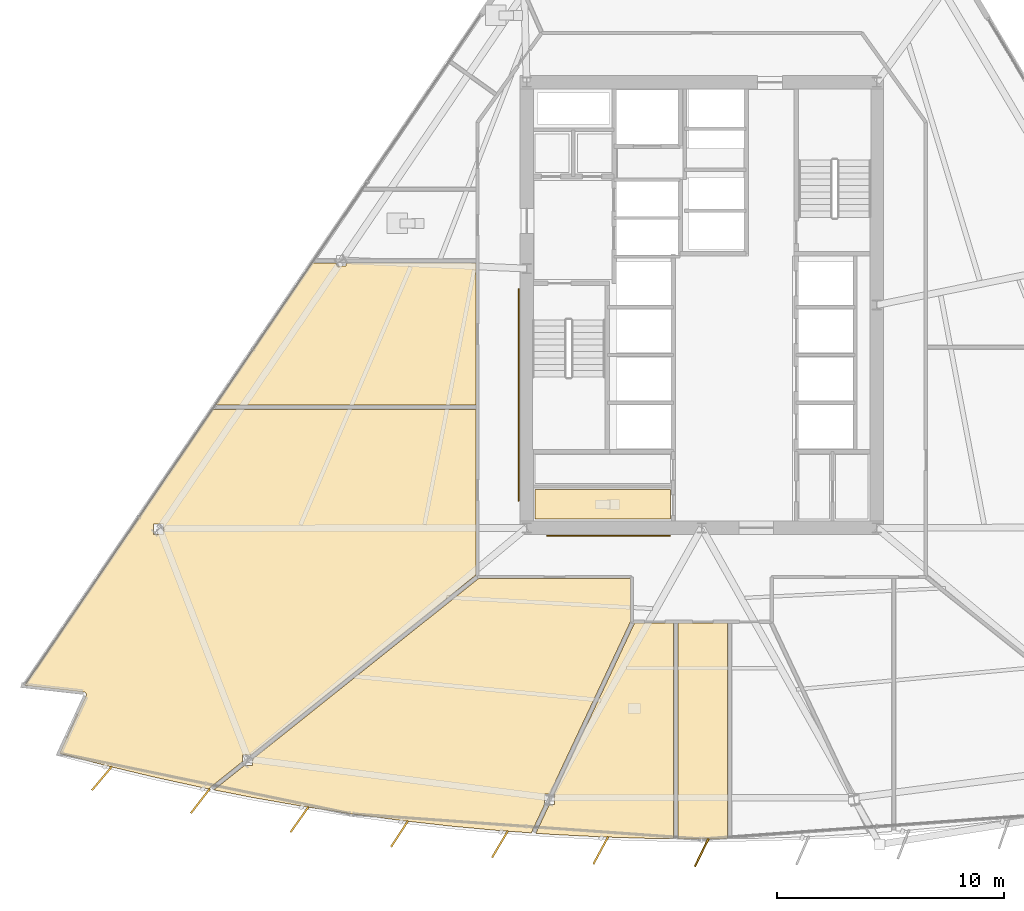
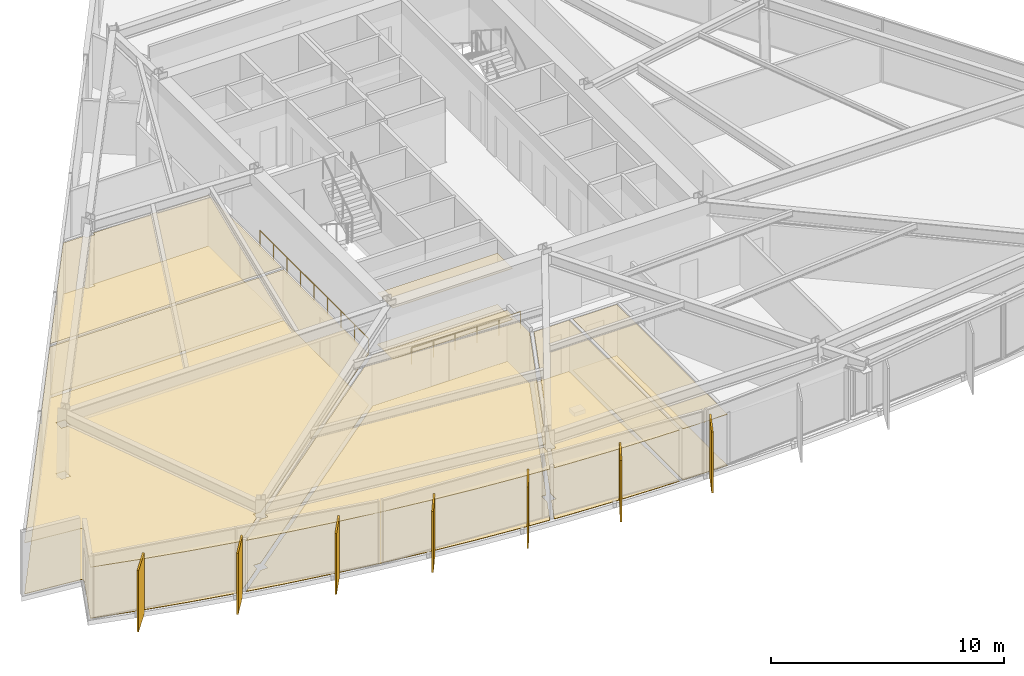
# One storey, part 13 of 18: 12 coverings, 7 shading devices, 2 railings.
"""IFC4 building model written with IfcOpenShell, lengths in metres."""

from ifc_helpers import new_model, si_unit, direction, frame, origin, origin_2d, place, context, subcontext, project, spatial, polyline, rectangle, circle, outline, extrude, material, layer, layer_set, type_object, element, save


model = new_model("IFC4")

# Units and contexts
model_context = context("Model", 3, precision=1e-05, world=origin(), true_north=direction((0.0, 1.0)))
body_context = subcontext(model_context, "Body", "Model", "MODEL_VIEW")
ifc_project = project(units=[si_unit("LENGTHUNIT", "METRE"), si_unit("AREAUNIT", "SQUARE_METRE"), si_unit("VOLUMEUNIT", "CUBIC_METRE"), si_unit("PLANEANGLEUNIT", "RADIAN"), si_unit("MASSUNIT", "GRAM", prefix="KILO")], contexts=[model_context])

# Site, building, storey
site_placement = place(None, origin())
site = spatial("IfcSite", under=ifc_project, at=site_placement, CompositionType="ELEMENT")
building_placement = place(site_placement, origin())
building = spatial("IfcBuilding", under=site, at=building_placement, Name="Savorim Split Tower", CompositionType="ELEMENT")
storey_placement = place(building_placement, frame((0.0, 0.0, 44.39990234375)))
storey = spatial("IfcBuildingStorey", under=building, at=storey_placement, Name="L11", CompositionType="ELEMENT", Elevation=44.39990234375)

# Coverings
ifc_material_1 = material(Name="Mineral Fibre Acoustic Ceiling")
ifc_layer_1 = layer(ifc_material_1, 0.02490234375)
ifc_layer_set_1 = layer_set([ifc_layer_1], Name="COV-CEIL-25")
covering_type_1 = type_object("IfcCoveringType", Name="COV-CEIL-25", PredefinedType="CEILING", material=ifc_layer_set_1)
covering_1_placement = place(storey_placement, frame((0.0, 0.0, 2.670166015625)))
element("IfcCovering", 1, at=covering_1_placement, inside=storey, type_object=covering_type_1, Name="L11 Public WC Acoustic Ceiling", PredefinedType="CEILING", context=body_context, shape_type="SweptSolid", body=[
    extrude(outline(polyline([(-7.320068359375, -7.719970703125), (-7.320068359375, -9.02001953125), (-1.3798828125, -9.02001953125), (-1.3798828125, -7.719970703125), (-7.320068359375, -7.719970703125)])), origin(), (0.0, 0.0, 1.0), 0.02490234375),
])
covering_2_placement = place(storey_placement, frame((0.0, 0.0, 2.670166015625)))
element("IfcCovering", 2, at=covering_2_placement, inside=storey, type_object=covering_type_1, Name="L11 Co-Working Commons Acoustic Ceiling", PredefinedType="CEILING", context=body_context, shape_type="SweptSolid", body=[
    extrude(outline(polyline([(-17.003173828125, 2.248046875), (-17.09814453125, 2.248046875), (-17.09814453125, 2.292236328125), (-21.382080078125, -4.00537109375), (-9.919921875, -4.00537109375), (-9.919921875, 2.248046875), (-15.6328125, 2.248046875), (-15.6328125, 2.110107421875), (-16.068603515625, 2.110107421875), (-16.068603515625, 2.248046875), (-17.003173828125, 2.248046875)])), origin(), (0.0, 0.0, 1.0), 0.02490234375),
])
covering_3_placement = place(storey_placement, frame((0.0, 0.0, 2.670166015625)))
element("IfcCovering", 3, at=covering_3_placement, inside=storey, type_object=covering_type_1, Name="L11 Co-Working Commons Acoustic Ceiling", PredefinedType="CEILING", context=body_context, shape_type="SweptSolid", body=[
    extrude(outline(polyline([(-27.05615234375, -16.739990234375), (-27.056884765625, -16.751708984375), (-27.05908203125, -16.763671875), (-27.0625, -16.77490234375), (-27.06689453125, -16.7861328125), (-28.231201171875, -19.320068359375), (-26.232177734375, -19.843017578125), (-24.0849609375, -20.357666015625), (-21.927490234375, -20.82861328125), (-21.61279296875, -20.890625), (-21.650390625, -20.843505859375), (-20.19287109375, -19.67919921875), (-20.19287109375, -19.393798828125), (-19.83544921875, -19.393798828125), (-9.947509765625, -11.494384765625), (-9.919921875, -11.47265625), (-9.919921875, -4.1953125), (-21.511474609375, -4.1953125), (-29.763916015625, -16.326416015625), (-27.16259765625, -16.61669921875), (-27.15087890625, -16.61865234375), (-27.139404296875, -16.62158203125), (-27.128173828125, -16.6259765625), (-27.117431640625, -16.631103515625), (-27.107421875, -16.637451171875), (-27.097900390625, -16.644775390625), (-27.08935546875, -16.653076171875), (-27.08154296875, -16.662109375), (-27.07470703125, -16.671875), (-27.068603515625, -16.68212890625), (-27.06396484375, -16.693115234375), (-27.060302734375, -16.70458984375), (-27.0576171875, -16.716064453125), (-27.056396484375, -16.72802734375), (-27.05615234375, -16.739990234375)]), holes=[polyline([(-24.1015625, -9.6982421875), (-23.66552734375, -9.6982421875), (-23.66552734375, -9.232421875), (-24.1015625, -9.232421875), (-24.1015625, -9.6982421875)])]), origin(), (0.0, 0.0, 1.0), 0.02490234375),
])
covering_4_placement = place(storey_placement, frame((0.0, 0.0, 2.670166015625)))
element("IfcCovering", 4, at=covering_4_placement, inside=storey, type_object=covering_type_1, Name="L11 Co-Working Commons Acoustic Ceiling", PredefinedType="CEILING", context=body_context, shape_type="SweptSolid", body=[
    extrude(outline(polyline([(-15.404296875, -21.974853515625), (-13.215576171875, -22.267578125), (-11.021484375, -22.515625), (-8.82275390625, -22.71875), (-7.49560546875, -22.81396484375), (-6.908935546875, -21.564697265625), (-6.91259765625, -21.564697265625), (-6.91259765625, -21.0986328125), (-6.690185546875, -21.0986328125), (-3.139404296875, -13.53857421875), (-3.126220703125, -13.510498046875), (-3.12939453125, -13.503662109375), (-3.134033203125, -13.490478515625), (-3.13720703125, -13.477294921875), (-3.139404296875, -13.463623046875), (-3.139892578125, -13.449951171875), (-3.139892578125, -11.6201171875), (-9.780029296875, -11.6201171875), (-9.793701171875, -11.619384765625), (-9.79833984375, -11.61865234375), (-19.7568359375, -19.57421875), (-19.7568359375, -19.859619140625), (-20.1142578125, -19.859619140625), (-21.44580078125, -20.92333984375), (-19.760986328125, -21.255126953125), (-17.586181640625, -21.63720703125), (-15.404296875, -21.974853515625)])), origin(), (0.0, 0.0, 1.0), 0.02490234375),
])
covering_5_placement = place(storey_placement, frame((0.0, 0.0, 2.670166015625)))
element("IfcCovering", 5, at=covering_5_placement, inside=storey, type_object=covering_type_1, Name="L11 Shared Kitchen Acoustic Ceiling", PredefinedType="CEILING", context=body_context, shape_type="SweptSolid", body=[
    extrude(outline(polyline([(-6.6201171875, -22.876708984375), (-4.4150390625, -22.989501953125), (-2.2080078125, -23.057373046875), (-1.232421875, -23.0673828125), (-1.232421875, -13.590087890625), (-2.95361328125, -13.590087890625), (-6.480224609375, -21.0986328125), (-6.4765625, -21.0986328125), (-6.4765625, -21.564697265625), (-6.69921875, -21.564697265625), (-7.285400390625, -22.81298828125), (-7.29248046875, -22.82861328125), (-6.6201171875, -22.876708984375)])), origin(), (0.0, 0.0, 1.0), 0.02490234375),
])
covering_6_placement = place(storey_placement, frame((0.0, 0.0, 2.670166015625)))
element("IfcCovering", 6, at=covering_6_placement, inside=storey, type_object=covering_type_1, Name="L11 Quiet Study Room Acoustic Ceiling", PredefinedType="CEILING", context=body_context, shape_type="SweptSolid", body=[
    extrude(outline(polyline([(-1.04248046875, -13.590087890625), (-1.04248046875, -23.0693359375), (0.0, -23.080078125), (1.141357421875, -23.068359375), (1.141357421875, -13.590087890625), (-1.04248046875, -13.590087890625)])), origin(), (0.0, 0.0, 1.0), 0.02490234375),
])
ifc_material_2 = material(Name="Porcelain Stoneware Flooring", Category="masonry")
ifc_layer_2 = layer(ifc_material_2, 0.02001953125)
ifc_layer_set_2 = layer_set([ifc_layer_2], Name="COV-FLOR-20")
covering_type_2 = type_object("IfcCoveringType", Name="COV-FLOR-20", PredefinedType="FLOORING", material=ifc_layer_set_2)
covering_7_placement = place(storey_placement, origin())
element("IfcCovering", 7, at=covering_7_placement, inside=storey, type_object=covering_type_2, Name="L11 Public WC Porcelain Flooring", PredefinedType="FLOORING", context=body_context, shape_type="SweptSolid", body=[
    extrude(outline(polyline([(-7.320068359375, -7.719970703125), (-7.320068359375, -9.02001953125), (-1.3798828125, -9.02001953125), (-1.3798828125, -7.719970703125), (-7.320068359375, -7.719970703125)])), origin(), (0.0, 0.0, 1.0), 0.02001953125),
])
covering_8_placement = place(storey_placement, origin())
element("IfcCovering", 8, at=covering_8_placement, inside=storey, type_object=covering_type_2, Name="L11 Co-Working Commons Porcelain Flooring", PredefinedType="FLOORING", context=body_context, shape_type="SweptSolid", body=[
    extrude(outline(polyline([(-17.003173828125, 2.248046875), (-17.09814453125, 2.248046875), (-17.09814453125, 2.292236328125), (-21.382080078125, -4.00537109375), (-9.919921875, -4.00537109375), (-9.919921875, 2.248046875), (-15.6328125, 2.248046875), (-15.6328125, 2.110107421875), (-16.068603515625, 2.110107421875), (-16.068603515625, 2.248046875), (-17.003173828125, 2.248046875)])), origin(), (0.0, 0.0, 1.0), 0.02001953125),
])
covering_9_placement = place(storey_placement, origin())
element("IfcCovering", 9, at=covering_9_placement, inside=storey, type_object=covering_type_2, Name="L11 Co-Working Commons Porcelain Flooring", PredefinedType="FLOORING", context=body_context, shape_type="SweptSolid", body=[
    extrude(outline(polyline([(-27.05615234375, -16.739990234375), (-27.056884765625, -16.751708984375), (-27.05908203125, -16.763671875), (-27.0625, -16.77490234375), (-27.06689453125, -16.7861328125), (-28.231201171875, -19.320068359375), (-26.232177734375, -19.843017578125), (-24.0849609375, -20.357666015625), (-21.927490234375, -20.82861328125), (-21.61279296875, -20.890625), (-21.650390625, -20.843505859375), (-20.19287109375, -19.67919921875), (-20.19287109375, -19.393798828125), (-19.83544921875, -19.393798828125), (-9.947509765625, -11.494384765625), (-9.919921875, -11.47265625), (-9.919921875, -4.1953125), (-21.511474609375, -4.1953125), (-29.763916015625, -16.326416015625), (-27.16259765625, -16.61669921875), (-27.15087890625, -16.61865234375), (-27.139404296875, -16.62158203125), (-27.128173828125, -16.6259765625), (-27.117431640625, -16.631103515625), (-27.107421875, -16.637451171875), (-27.097900390625, -16.644775390625), (-27.08935546875, -16.653076171875), (-27.08154296875, -16.662109375), (-27.07470703125, -16.671875), (-27.068603515625, -16.68212890625), (-27.06396484375, -16.693115234375), (-27.060302734375, -16.70458984375), (-27.0576171875, -16.716064453125), (-27.056396484375, -16.72802734375), (-27.05615234375, -16.739990234375)]), holes=[polyline([(-24.1015625, -9.6982421875), (-23.66552734375, -9.6982421875), (-23.66552734375, -9.232421875), (-24.1015625, -9.232421875), (-24.1015625, -9.6982421875)])]), origin(), (0.0, 0.0, 1.0), 0.02001953125),
])
covering_10_placement = place(storey_placement, origin())
element("IfcCovering", 10, at=covering_10_placement, inside=storey, type_object=covering_type_2, Name="L11 Co-Working Commons Porcelain Flooring", PredefinedType="FLOORING", context=body_context, shape_type="SweptSolid", body=[
    extrude(outline(polyline([(-15.404296875, -21.974853515625), (-13.215576171875, -22.267578125), (-11.021484375, -22.515625), (-8.82275390625, -22.71875), (-7.49560546875, -22.81396484375), (-6.908935546875, -21.564697265625), (-6.91259765625, -21.564697265625), (-6.91259765625, -21.0986328125), (-6.690185546875, -21.0986328125), (-3.139404296875, -13.53857421875), (-3.126220703125, -13.510498046875), (-3.12939453125, -13.503662109375), (-3.134033203125, -13.490478515625), (-3.13720703125, -13.477294921875), (-3.139404296875, -13.463623046875), (-3.139892578125, -13.449951171875), (-3.139892578125, -11.6201171875), (-9.780029296875, -11.6201171875), (-9.793701171875, -11.619384765625), (-9.79833984375, -11.61865234375), (-19.7568359375, -19.57421875), (-19.7568359375, -19.859619140625), (-20.1142578125, -19.859619140625), (-21.44580078125, -20.92333984375), (-19.760986328125, -21.255126953125), (-17.586181640625, -21.63720703125), (-15.404296875, -21.974853515625)])), origin(), (0.0, 0.0, 1.0), 0.02001953125),
])
covering_11_placement = place(storey_placement, origin())
element("IfcCovering", 11, at=covering_11_placement, inside=storey, type_object=covering_type_2, Name="L11 Shared Kitchen Porcelain Flooring", PredefinedType="FLOORING", context=body_context, shape_type="SweptSolid", body=[
    extrude(outline(polyline([(-6.6201171875, -22.876708984375), (-4.4150390625, -22.989501953125), (-2.2080078125, -23.057373046875), (-1.232421875, -23.0673828125), (-1.232421875, -13.590087890625), (-2.95361328125, -13.590087890625), (-6.480224609375, -21.0986328125), (-6.4765625, -21.0986328125), (-6.4765625, -21.564697265625), (-6.69921875, -21.564697265625), (-7.285400390625, -22.81298828125), (-7.29248046875, -22.82861328125), (-6.6201171875, -22.876708984375)])), origin(), (0.0, 0.0, 1.0), 0.02001953125),
])
covering_12_placement = place(storey_placement, origin())
element("IfcCovering", 12, at=covering_12_placement, inside=storey, type_object=covering_type_2, Name="L11 Quiet Study Room Porcelain Flooring", PredefinedType="FLOORING", context=body_context, shape_type="SweptSolid", body=[
    extrude(outline(polyline([(-1.04248046875, -13.590087890625), (-1.04248046875, -23.0693359375), (0.0, -23.080078125), (1.141357421875, -23.068359375), (1.141357421875, -13.590087890625), (-1.04248046875, -13.590087890625)])), origin(), (0.0, 0.0, 1.0), 0.02001953125),
])

# Railings
ifc_material_3 = material(Name="Galvanised Painted Steel Balustrade", Category="steel")
railing_type = type_object("IfcRailingType", Name="RLG-HR-900", PredefinedType="HANDRAIL", material=ifc_material_3)
railing_1_placement = place(storey_placement, frame((-6.800048828125, -9.75, 0.0)))
element("IfcRailing", 13, at=railing_1_placement, inside=storey, type_object=railing_type, Name="L11 Corridor South Accessible Handrail", PredefinedType="HANDRAIL", context=body_context, shape_type="SweptSolid", body=[
    extrude(circle(Radius=0.02392578125, at=origin_2d()), frame((0.0, 0.0, 0.8759765625), z_axis=(1.0, 0.0, 0.0), x_axis=(0.0, 1.0, 0.0)), (0.0, 0.0, 1.0), 5.400146484375),
    extrude(circle(Radius=0.02099609375, at=origin_2d()), origin(), (0.0, 0.0, 1.0), 0.851806640625),
    extrude(circle(Radius=0.02099609375, at=origin_2d()), frame((1.080078125, 0.0, 0.0)), (0.0, 0.0, 1.0), 0.851806640625),
    extrude(circle(Radius=0.02099609375, at=origin_2d()), frame((2.16015625, 0.0, 0.0)), (0.0, 0.0, 1.0), 0.851806640625),
    extrude(circle(Radius=0.02099609375, at=origin_2d()), frame((3.239990234375, 0.0, 0.0)), (0.0, 0.0, 1.0), 0.851806640625),
    extrude(circle(Radius=0.02099609375, at=origin_2d()), frame((4.320068359375, 0.0, 0.0)), (0.0, 0.0, 1.0), 0.851806640625),
    extrude(circle(Radius=0.02099609375, at=origin_2d()), frame((5.400146484375, 0.0, 0.0)), (0.0, 0.0, 1.0), 0.851806640625),
])
railing_2_placement = place(storey_placement, frame((-8.050048828125, -8.199951171875, 0.0)))
element("IfcRailing", 14, at=railing_2_placement, inside=storey, type_object=railing_type, Name="L11 Corridor West Accessible Handrail", PredefinedType="HANDRAIL", context=body_context, shape_type="SweptSolid", body=[
    extrude(circle(Radius=0.02392578125, at=origin_2d()), frame((0.0, 0.0, 0.8759765625), z_axis=(0.0, 1.0, 0.0), x_axis=(-1.0, 0.0, 0.0)), (0.0, 0.0, 1.0), 9.300048828125),
    extrude(circle(Radius=0.02099609375, at=origin_2d()), origin(), (0.0, 0.0, 1.0), 0.851806640625),
    extrude(circle(Radius=0.02099609375, at=origin_2d()), frame((0.0, 1.16259765625, 0.0)), (0.0, 0.0, 1.0), 0.851806640625),
    extrude(circle(Radius=0.02099609375, at=origin_2d()), frame((0.0, 2.324951171875, 0.0)), (0.0, 0.0, 1.0), 0.851806640625),
    extrude(circle(Radius=0.02099609375, at=origin_2d()), frame((0.0, 3.487548828125, 0.0)), (0.0, 0.0, 1.0), 0.851806640625),
    extrude(circle(Radius=0.02099609375, at=origin_2d()), frame((0.0, 4.64990234375, 0.0)), (0.0, 0.0, 1.0), 0.851806640625),
    extrude(circle(Radius=0.02099609375, at=origin_2d()), frame((0.0, 5.8125, 0.0)), (0.0, 0.0, 1.0), 0.851806640625),
    extrude(circle(Radius=0.02099609375, at=origin_2d()), frame((0.0, 6.97509765625, 0.0)), (0.0, 0.0, 1.0), 0.851806640625),
    extrude(circle(Radius=0.02099609375, at=origin_2d()), frame((0.0, 8.137451171875, 0.0)), (0.0, 0.0, 1.0), 0.851806640625),
    extrude(circle(Radius=0.02099609375, at=origin_2d()), frame((0.0, 9.300048828125, 0.0)), (0.0, 0.0, 1.0), 0.851806640625),
])

# Shading devices
ifc_material_4 = material(Name="Terracotta Ceramic-Coated Aluminium Fin", Category="masonry")
shading_device_type = type_object("IfcShadingDeviceType", Name="SHD-FIN-1360", PredefinedType="USERDEFINED", material=ifc_material_4)
for number, where, z_axis, x_axis, name in (
    (15, (-26.377197265625, -20.4208984375, -0.19970703125), (0.0, 0.0, 1.0), (-0.643719022682, -0.765261928909, 0.0), "L11 Sawtooth Shading Fin 01"),
    (16, (-22.048583984375, -21.412109375, -0.19970703125), (0.0, 0.0, 1.0), (-0.611868076908, -0.790959832394, 0.0), "L11 Sawtooth Shading Fin 02"),
    (17, (-17.68359375, -22.225341796875, -0.19970703125), (0.0, 0.0, 1.0), (-0.578993757737, -0.815331974414, 0.0), "L11 Sawtooth Shading Fin 03"),
    (18, (-13.28857421875, -22.859130859375, -0.19970703125), (0.0, 0.0, 1.0), (-0.545148321708, -0.838339613366, 0.0), "L11 Sawtooth Shading Fin 04"),
    (19, (-8.871337890625, -23.312744140625, -0.19970703125), (0.0, 0.0, 1.0), (-0.510391336723, -0.859942255851, 0.0), "L11 Sawtooth Shading Fin 05"),
    (20, (-4.439453125, -23.585205078125, -0.19970703125), (0.0, 0.0, 1.0), (-0.474778051978, -0.880105562623, 0.0), "L11 Sawtooth Shading Fin 06"),
    (21, (0.0, -23.676025390625, -0.19970703125), (0.0, 0.0, 1.0), (-0.438371146789, -0.898794046299, 0.0), "L11 Sawtooth Shading Fin 07"),
):
    element("IfcShadingDevice", number, at=place(storey_placement, frame(where, z_axis=z_axis, x_axis=x_axis)), inside=storey, type_object=shading_device_type, Name=name, ObjectType="FIN", PredefinedType="USERDEFINED", context=body_context, shape_type="SweptSolid", body=[
        extrude(rectangle(XDim=1.360107421875, YDim=0.080078125, at=origin_2d()), origin(), (0.0, 0.0, 1.0), 3.199951171875),
    ])

save(model, "model.ifc")
